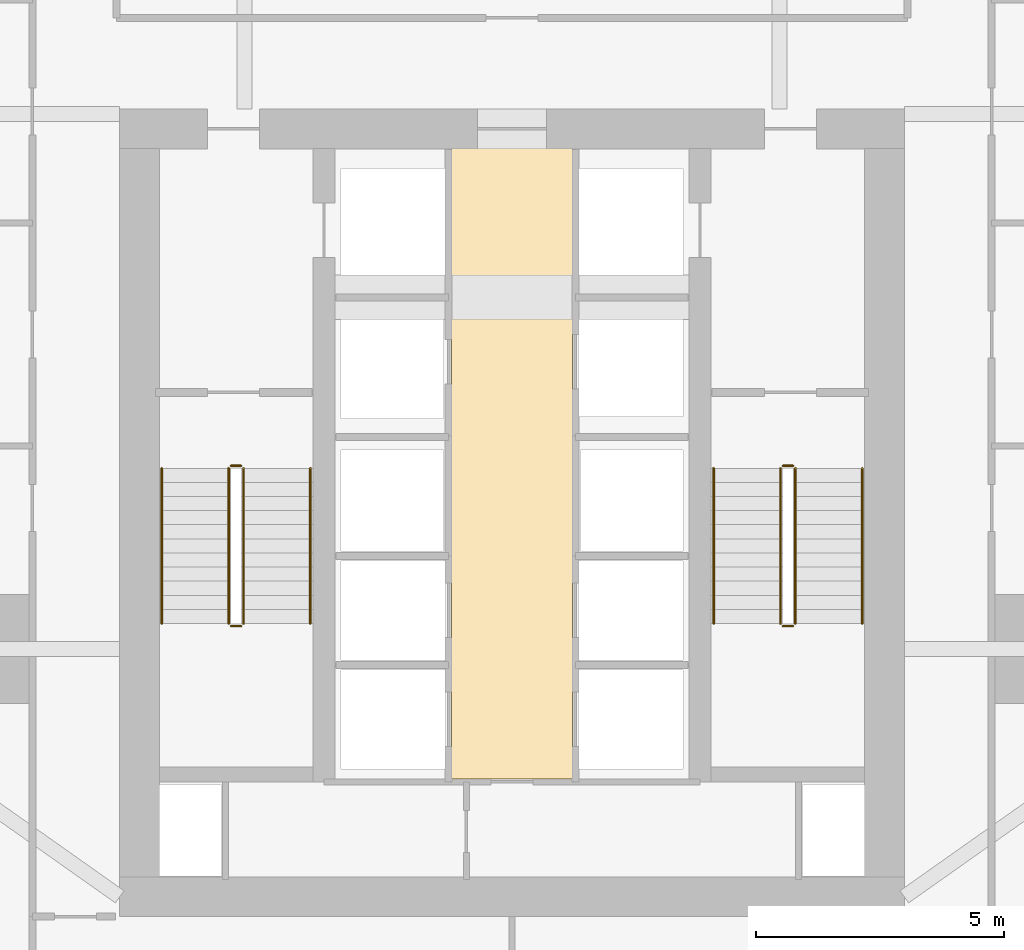
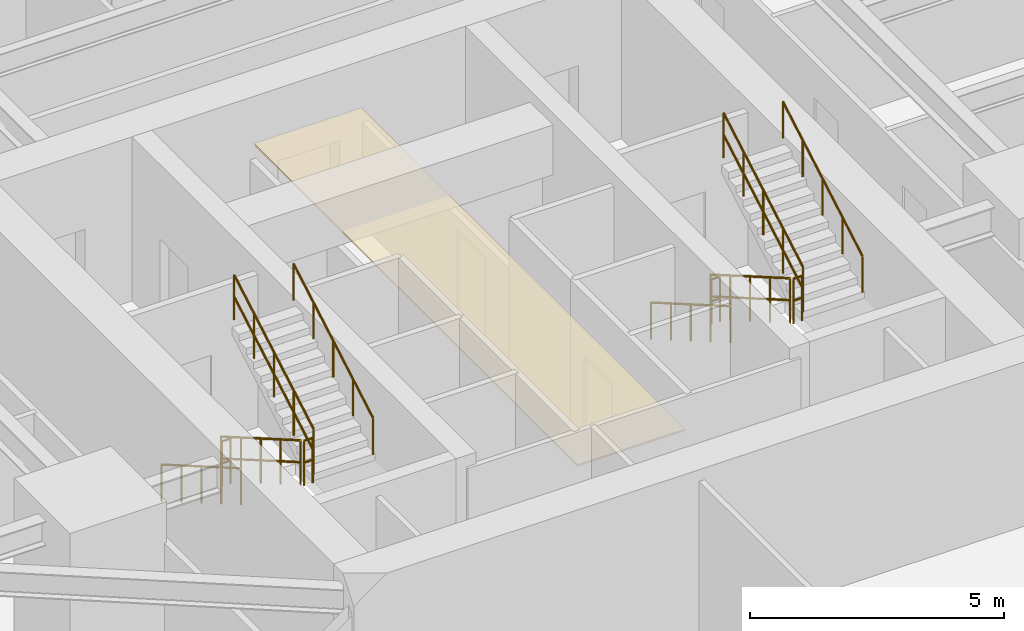
# One storey, part 28 of 29: 12 railings, 1 covering.
"""IFC4 building model written with IfcOpenShell, lengths in metres."""

from ifc_helpers import new_model, si_unit, direction, frame, origin, origin_2d, place, context, subcontext, project, spatial, polyline, circle, outline, extrude, material, layer, layer_set, type_object, element, save


model = new_model("IFC4")

# Units and contexts
model_context = context("Model", 3, precision=1e-05, world=origin(), true_north=direction((0.0, 1.0)))
body_context = subcontext(model_context, "Body", "Model", "MODEL_VIEW")
ifc_project = project(units=[si_unit("LENGTHUNIT", "METRE"), si_unit("AREAUNIT", "SQUARE_METRE"), si_unit("VOLUMEUNIT", "CUBIC_METRE"), si_unit("PLANEANGLEUNIT", "RADIAN"), si_unit("MASSUNIT", "GRAM", prefix="KILO")], contexts=[model_context])

# Site, building, storey
site_placement = place(None, origin())
site = spatial("IfcSite", under=ifc_project, at=site_placement, CompositionType="ELEMENT")
building_placement = place(site_placement, origin())
building = spatial("IfcBuilding", under=site, at=building_placement, Name="Krantzveldt Concourse Tower", CompositionType="ELEMENT")
storey_placement = place(building_placement, frame((0.0, 0.0, 68.449951171875)))
storey = spatial("IfcBuildingStorey", under=building, at=storey_placement, Name="L16", CompositionType="ELEMENT", Elevation=68.449951171875)

# Covering
ifc_material_1 = material(Name="Perforated acoustic mineral-fibre ceiling tile", Category="ceiling")
ifc_layer_1 = layer(ifc_material_1, 0.0400390625, Name="Perforated acoustic mineral-fibre ceiling tile", Category="ceiling")
ifc_layer_set_1 = layer_set([ifc_layer_1], Name="Perforated acoustic mineral-fibre ceiling tile (COV-CEIL-ACOUSTIC)")
covering_type = type_object("IfcCoveringType", Name="COV-CEIL-ACOUSTIC", PredefinedType="CEILING", material=ifc_layer_set_1)
covering_placement = place(storey_placement, frame((0.0, 0.0, 2.75)))
element("IfcCovering", 1, at=covering_placement, inside=storey, type_object=covering_type, Name="CLG-L16-LLB", PredefinedType="CEILING", context=body_context, shape_type="SweptSolid", body=[
    extrude(outline(polyline([(37.22509765625, 13.27490234375), (34.77490234375, 13.27490234375), (34.77490234375, 26.044921875), (37.22509765625, 26.044921875), (37.22509765625, 13.27490234375)])), origin(), (0.0, 0.0, 1.0), 0.0400390625),
])

# Railings
ifc_material_2 = material(Name="Stainless steel 316L", Category="steel")
ifc_layer_2 = layer(ifc_material_2, 0.06005859375, Name="Stainless steel 316L", Category="steel")
ifc_layer_set_2 = layer_set([ifc_layer_2], Name="Stainless steel 316L (RL-GUARD-1120)")
railing_type_1 = type_object("IfcRailingType", Name="RL-GUARD-1120", PredefinedType="GUARDRAIL", material=ifc_layer_set_2)
railing_1_placement = place(storey_placement, frame((30.280029296875, 19.550048828125, 0.16455078125)))
element("IfcRailing", 2, at=railing_1_placement, inside=storey, type_object=railing_type_1, Name="L16 ST-1 stair guard 1", PredefinedType="GUARDRAIL", context=body_context, shape_type="SweptSolid", body=[
    extrude(circle(Radius=0.02392578125, at=origin_2d()), frame((0.0, 0.0, 1.076171875), z_axis=(0.0, -0.865959834175, 0.500113552702), x_axis=(1.0, 0.0, 0.0)), (0.0, 0.0, 1.0), 3.620361328125),
    extrude(circle(Radius=0.02392578125, at=origin_2d()), frame((0.0, 0.0, 0.550048828125), z_axis=(0.0, -0.865959834175, 0.500113552702), x_axis=(1.0, 0.0, 0.0)), (0.0, 0.0, 1.0), 3.620361328125),
    extrude(circle(Radius=0.02099609375, at=origin_2d()), origin(), (0.0, 0.0, 1.0), 1.052001953125),
    extrude(circle(Radius=0.02099609375, at=origin_2d()), frame((0.0, -0.78369140625, 0.45263671875)), (0.0, 0.0, 1.0), 1.052001953125),
    extrude(circle(Radius=0.02099609375, at=origin_2d()), frame((0.0, -1.5673828125, 0.9052734375)), (0.0, 0.0, 1.0), 1.052001953125),
    extrude(circle(Radius=0.02099609375, at=origin_2d()), frame((0.0, -2.351318359375, 1.35791015625)), (0.0, 0.0, 1.0), 1.052001953125),
    extrude(circle(Radius=0.02099609375, at=origin_2d()), frame((0.0, -3.135009765625, 1.810546875)), (0.0, 0.0, 1.0), 1.052001953125),
])
railing_2_placement = place(storey_placement, frame((30.330078125, 16.364990234375, 1.97509765625)))
element("IfcRailing", 3, at=railing_2_placement, inside=storey, type_object=railing_type_1, Name="L16 ST-1 stair guard 2", PredefinedType="GUARDRAIL", context=body_context, shape_type="SweptSolid", body=[
    extrude(circle(Radius=0.02392578125, at=origin_2d()), frame((0.0, 0.0, 1.076171875), z_axis=(1.0, 0.0, 0.0), x_axis=(0.0, 1.0, 0.0)), (0.0, 0.0, 1.0), 0.199951171875),
    extrude(circle(Radius=0.02392578125, at=origin_2d()), frame((0.0, 0.0, 0.550048828125), z_axis=(1.0, 0.0, 0.0), x_axis=(0.0, 1.0, 0.0)), (0.0, 0.0, 1.0), 0.199951171875),
    extrude(circle(Radius=0.02099609375, at=origin_2d()), origin(), (0.0, 0.0, 1.0), 1.052001953125),
    extrude(circle(Radius=0.02099609375, at=origin_2d()), frame((0.199951171875, 0.0, 0.0)), (0.0, 0.0, 1.0), 1.052001953125),
])
railing_3_placement = place(storey_placement, frame((30.580078125, 16.4150390625, 2.1396484375)))
element("IfcRailing", 4, at=railing_3_placement, inside=storey, type_object=railing_type_1, Name="L16 ST-1 stair guard 3", PredefinedType="GUARDRAIL", context=body_context, shape_type="SweptSolid", body=[
    extrude(circle(Radius=0.02392578125, at=origin_2d()), frame((0.0, 0.0, 1.076171875), z_axis=(0.0, 0.865989039225, 0.500062979975), x_axis=(-1.0, 0.0, 0.0)), (0.0, 0.0, 1.0), 3.6201171875),
    extrude(circle(Radius=0.02392578125, at=origin_2d()), frame((0.0, 0.0, 0.550048828125), z_axis=(0.0, 0.865989039225, 0.500062979975), x_axis=(-1.0, 0.0, 0.0)), (0.0, 0.0, 1.0), 3.6201171875),
    extrude(circle(Radius=0.02099609375, at=origin_2d()), origin(), (0.0, 0.0, 1.0), 1.052001953125),
    extrude(circle(Radius=0.02099609375, at=origin_2d()), frame((0.0, 0.78369140625, 0.45263671875)), (0.0, 0.0, 1.0), 1.052001953125),
    extrude(circle(Radius=0.02099609375, at=origin_2d()), frame((0.0, 1.5673828125, 0.9052734375)), (0.0, 0.0, 1.0), 1.052001953125),
    extrude(circle(Radius=0.02099609375, at=origin_2d()), frame((0.0, 2.351318359375, 1.357666015625)), (0.0, 0.0, 1.0), 1.052001953125),
    extrude(circle(Radius=0.02099609375, at=origin_2d()), frame((0.0, 3.135009765625, 1.810302734375)), (0.0, 0.0, 1.0), 1.052001953125),
])
railing_4_placement = place(storey_placement, frame((30.330078125, 19.60009765625, 0.0)))
element("IfcRailing", 5, at=railing_4_placement, inside=storey, type_object=railing_type_1, Name="L16 ST-1 stair guard 4", PredefinedType="GUARDRAIL", context=body_context, shape_type="SweptSolid", body=[
    extrude(circle(Radius=0.02392578125, at=origin_2d()), frame((0.0, 0.0, 1.076171875), z_axis=(1.0, 0.0, 0.0), x_axis=(0.0, 1.0, 0.0)), (0.0, 0.0, 1.0), 0.199951171875),
    extrude(circle(Radius=0.02392578125, at=origin_2d()), frame((0.0, 0.0, 0.550048828125), z_axis=(1.0, 0.0, 0.0), x_axis=(0.0, 1.0, 0.0)), (0.0, 0.0, 1.0), 0.199951171875),
    extrude(circle(Radius=0.02099609375, at=origin_2d()), origin(), (0.0, 0.0, 1.0), 1.052001953125),
    extrude(circle(Radius=0.02099609375, at=origin_2d()), frame((0.199951171875, 0.0, 0.0)), (0.0, 0.0, 1.0), 1.052001953125),
])
railing_5_placement = place(storey_placement, frame((41.419921875, 19.550048828125, 0.16455078125)))
element("IfcRailing", 6, at=railing_5_placement, inside=storey, type_object=railing_type_1, Name="L16 ST-2 stair guard 1", PredefinedType="GUARDRAIL", context=body_context, shape_type="SweptSolid", body=[
    extrude(circle(Radius=0.02392578125, at=origin_2d()), frame((0.0, 0.0, 1.076171875), z_axis=(0.0, -0.865959834175, 0.500113552702), x_axis=(1.0, 0.0, 0.0)), (0.0, 0.0, 1.0), 3.620361328125),
    extrude(circle(Radius=0.02392578125, at=origin_2d()), frame((0.0, 0.0, 0.550048828125), z_axis=(0.0, -0.865959834175, 0.500113552702), x_axis=(1.0, 0.0, 0.0)), (0.0, 0.0, 1.0), 3.620361328125),
    extrude(circle(Radius=0.02099609375, at=origin_2d()), origin(), (0.0, 0.0, 1.0), 1.052001953125),
    extrude(circle(Radius=0.02099609375, at=origin_2d()), frame((0.0, -0.78369140625, 0.45263671875)), (0.0, 0.0, 1.0), 1.052001953125),
    extrude(circle(Radius=0.02099609375, at=origin_2d()), frame((0.0, -1.5673828125, 0.9052734375)), (0.0, 0.0, 1.0), 1.052001953125),
    extrude(circle(Radius=0.02099609375, at=origin_2d()), frame((0.0, -2.351318359375, 1.35791015625)), (0.0, 0.0, 1.0), 1.052001953125),
    extrude(circle(Radius=0.02099609375, at=origin_2d()), frame((0.0, -3.135009765625, 1.810546875)), (0.0, 0.0, 1.0), 1.052001953125),
])
railing_6_placement = place(storey_placement, frame((41.469970703125, 16.364990234375, 1.97509765625)))
element("IfcRailing", 7, at=railing_6_placement, inside=storey, type_object=railing_type_1, Name="L16 ST-2 stair guard 2", PredefinedType="GUARDRAIL", context=body_context, shape_type="SweptSolid", body=[
    extrude(circle(Radius=0.02392578125, at=origin_2d()), frame((0.0, 0.0, 1.076171875), z_axis=(1.0, 0.0, 0.0), x_axis=(0.0, 1.0, 0.0)), (0.0, 0.0, 1.0), 0.199951171875),
    extrude(circle(Radius=0.02392578125, at=origin_2d()), frame((0.0, 0.0, 0.550048828125), z_axis=(1.0, 0.0, 0.0), x_axis=(0.0, 1.0, 0.0)), (0.0, 0.0, 1.0), 0.199951171875),
    extrude(circle(Radius=0.02099609375, at=origin_2d()), origin(), (0.0, 0.0, 1.0), 1.052001953125),
    extrude(circle(Radius=0.02099609375, at=origin_2d()), frame((0.199951171875, 0.0, 0.0)), (0.0, 0.0, 1.0), 1.052001953125),
])
railing_7_placement = place(storey_placement, frame((41.719970703125, 16.4150390625, 2.1396484375)))
element("IfcRailing", 8, at=railing_7_placement, inside=storey, type_object=railing_type_1, Name="L16 ST-2 stair guard 3", PredefinedType="GUARDRAIL", context=body_context, shape_type="SweptSolid", body=[
    extrude(circle(Radius=0.02392578125, at=origin_2d()), frame((0.0, 0.0, 1.076171875), z_axis=(0.0, 0.865989039225, 0.500062979975), x_axis=(-1.0, 0.0, 0.0)), (0.0, 0.0, 1.0), 3.6201171875),
    extrude(circle(Radius=0.02392578125, at=origin_2d()), frame((0.0, 0.0, 0.550048828125), z_axis=(0.0, 0.865989039225, 0.500062979975), x_axis=(-1.0, 0.0, 0.0)), (0.0, 0.0, 1.0), 3.6201171875),
    extrude(circle(Radius=0.02099609375, at=origin_2d()), origin(), (0.0, 0.0, 1.0), 1.052001953125),
    extrude(circle(Radius=0.02099609375, at=origin_2d()), frame((0.0, 0.78369140625, 0.45263671875)), (0.0, 0.0, 1.0), 1.052001953125),
    extrude(circle(Radius=0.02099609375, at=origin_2d()), frame((0.0, 1.5673828125, 0.9052734375)), (0.0, 0.0, 1.0), 1.052001953125),
    extrude(circle(Radius=0.02099609375, at=origin_2d()), frame((0.0, 2.351318359375, 1.357666015625)), (0.0, 0.0, 1.0), 1.052001953125),
    extrude(circle(Radius=0.02099609375, at=origin_2d()), frame((0.0, 3.135009765625, 1.810302734375)), (0.0, 0.0, 1.0), 1.052001953125),
])
railing_8_placement = place(storey_placement, frame((41.469970703125, 19.60009765625, 0.0)))
element("IfcRailing", 9, at=railing_8_placement, inside=storey, type_object=railing_type_1, Name="L16 ST-2 stair guard 4", PredefinedType="GUARDRAIL", context=body_context, shape_type="SweptSolid", body=[
    extrude(circle(Radius=0.02392578125, at=origin_2d()), frame((0.0, 0.0, 1.076171875), z_axis=(1.0, 0.0, 0.0), x_axis=(0.0, 1.0, 0.0)), (0.0, 0.0, 1.0), 0.199951171875),
    extrude(circle(Radius=0.02392578125, at=origin_2d()), frame((0.0, 0.0, 0.550048828125), z_axis=(1.0, 0.0, 0.0), x_axis=(0.0, 1.0, 0.0)), (0.0, 0.0, 1.0), 0.199951171875),
    extrude(circle(Radius=0.02099609375, at=origin_2d()), origin(), (0.0, 0.0, 1.0), 1.052001953125),
    extrude(circle(Radius=0.02099609375, at=origin_2d()), frame((0.199951171875, 0.0, 0.0)), (0.0, 0.0, 1.0), 1.052001953125),
])
ifc_layer_3 = layer(ifc_material_2, 0.050048828125, Name="Stainless steel 316L", Category="steel")
ifc_layer_set_3 = layer_set([ifc_layer_3], Name="Stainless steel 316L (RL-HANDRAIL-920)")
railing_type_2 = type_object("IfcRailingType", Name="RL-HANDRAIL-920", PredefinedType="HANDRAIL", material=ifc_layer_set_3)
railing_9_placement = place(storey_placement, frame((28.929931640625, 19.550048828125, 0.16455078125)))
element("IfcRailing", 10, at=railing_9_placement, inside=storey, type_object=railing_type_2, Name="L16 ST-1 stair handrail 1", PredefinedType="HANDRAIL", context=body_context, shape_type="SweptSolid", body=[
    extrude(circle(Radius=0.02392578125, at=origin_2d()), frame((0.0, 0.0, 0.8759765625), z_axis=(0.0, -0.865959834175, 0.500113552702), x_axis=(1.0, 0.0, 0.0)), (0.0, 0.0, 1.0), 3.620361328125),
    extrude(circle(Radius=0.02099609375, at=origin_2d()), origin(), (0.0, 0.0, 1.0), 0.851806640625),
    extrude(circle(Radius=0.02099609375, at=origin_2d()), frame((0.0, -0.78369140625, 0.45263671875)), (0.0, 0.0, 1.0), 0.851806640625),
    extrude(circle(Radius=0.02099609375, at=origin_2d()), frame((0.0, -1.5673828125, 0.9052734375)), (0.0, 0.0, 1.0), 0.851806640625),
    extrude(circle(Radius=0.02099609375, at=origin_2d()), frame((0.0, -2.351318359375, 1.35791015625)), (0.0, 0.0, 1.0), 0.851806640625),
    extrude(circle(Radius=0.02099609375, at=origin_2d()), frame((0.0, -3.135009765625, 1.810546875)), (0.0, 0.0, 1.0), 0.851806640625),
])
railing_10_placement = place(storey_placement, frame((31.929931640625, 16.4150390625, 2.1396484375)))
element("IfcRailing", 11, at=railing_10_placement, inside=storey, type_object=railing_type_2, Name="L16 ST-1 stair handrail 2", PredefinedType="HANDRAIL", context=body_context, shape_type="SweptSolid", body=[
    extrude(circle(Radius=0.02392578125, at=origin_2d()), frame((0.0, 0.0, 0.8759765625), z_axis=(0.0, 0.865989039225, 0.500062979975), x_axis=(-1.0, 0.0, 0.0)), (0.0, 0.0, 1.0), 3.6201171875),
    extrude(circle(Radius=0.02099609375, at=origin_2d()), origin(), (0.0, 0.0, 1.0), 0.851806640625),
    extrude(circle(Radius=0.02099609375, at=origin_2d()), frame((0.0, 0.78369140625, 0.45263671875)), (0.0, 0.0, 1.0), 0.851806640625),
    extrude(circle(Radius=0.02099609375, at=origin_2d()), frame((0.0, 1.5673828125, 0.9052734375)), (0.0, 0.0, 1.0), 0.851806640625),
    extrude(circle(Radius=0.02099609375, at=origin_2d()), frame((0.0, 2.351318359375, 1.357666015625)), (0.0, 0.0, 1.0), 0.851806640625),
    extrude(circle(Radius=0.02099609375, at=origin_2d()), frame((0.0, 3.135009765625, 1.810302734375)), (0.0, 0.0, 1.0), 0.851806640625),
])
railing_11_placement = place(storey_placement, frame((40.070068359375, 19.550048828125, 0.16455078125)))
element("IfcRailing", 12, at=railing_11_placement, inside=storey, type_object=railing_type_2, Name="L16 ST-2 stair handrail 1", PredefinedType="HANDRAIL", context=body_context, shape_type="SweptSolid", body=[
    extrude(circle(Radius=0.02392578125, at=origin_2d()), frame((0.0, 0.0, 0.8759765625), z_axis=(0.0, -0.865959834175, 0.500113552702), x_axis=(1.0, 0.0, 0.0)), (0.0, 0.0, 1.0), 3.620361328125),
    extrude(circle(Radius=0.02099609375, at=origin_2d()), origin(), (0.0, 0.0, 1.0), 0.851806640625),
    extrude(circle(Radius=0.02099609375, at=origin_2d()), frame((0.0, -0.78369140625, 0.45263671875)), (0.0, 0.0, 1.0), 0.851806640625),
    extrude(circle(Radius=0.02099609375, at=origin_2d()), frame((0.0, -1.5673828125, 0.9052734375)), (0.0, 0.0, 1.0), 0.851806640625),
    extrude(circle(Radius=0.02099609375, at=origin_2d()), frame((0.0, -2.351318359375, 1.35791015625)), (0.0, 0.0, 1.0), 0.851806640625),
    extrude(circle(Radius=0.02099609375, at=origin_2d()), frame((0.0, -3.135009765625, 1.810546875)), (0.0, 0.0, 1.0), 0.851806640625),
])
railing_12_placement = place(storey_placement, frame((43.070068359375, 16.4150390625, 2.1396484375)))
element("IfcRailing", 13, at=railing_12_placement, inside=storey, type_object=railing_type_2, Name="L16 ST-2 stair handrail 2", PredefinedType="HANDRAIL", context=body_context, shape_type="SweptSolid", body=[
    extrude(circle(Radius=0.02392578125, at=origin_2d()), frame((0.0, 0.0, 0.8759765625), z_axis=(0.0, 0.865989039225, 0.500062979975), x_axis=(-1.0, 0.0, 0.0)), (0.0, 0.0, 1.0), 3.6201171875),
    extrude(circle(Radius=0.02099609375, at=origin_2d()), origin(), (0.0, 0.0, 1.0), 0.851806640625),
    extrude(circle(Radius=0.02099609375, at=origin_2d()), frame((0.0, 0.78369140625, 0.45263671875)), (0.0, 0.0, 1.0), 0.851806640625),
    extrude(circle(Radius=0.02099609375, at=origin_2d()), frame((0.0, 1.5673828125, 0.9052734375)), (0.0, 0.0, 1.0), 0.851806640625),
    extrude(circle(Radius=0.02099609375, at=origin_2d()), frame((0.0, 2.351318359375, 1.357666015625)), (0.0, 0.0, 1.0), 0.851806640625),
    extrude(circle(Radius=0.02099609375, at=origin_2d()), frame((0.0, 3.135009765625, 1.810302734375)), (0.0, 0.0, 1.0), 0.851806640625),
])

save(model, "model.ifc")
